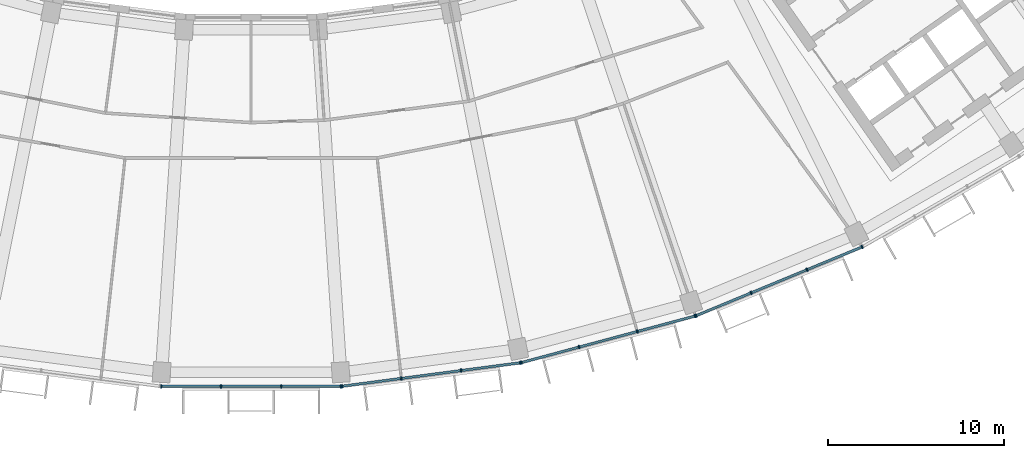
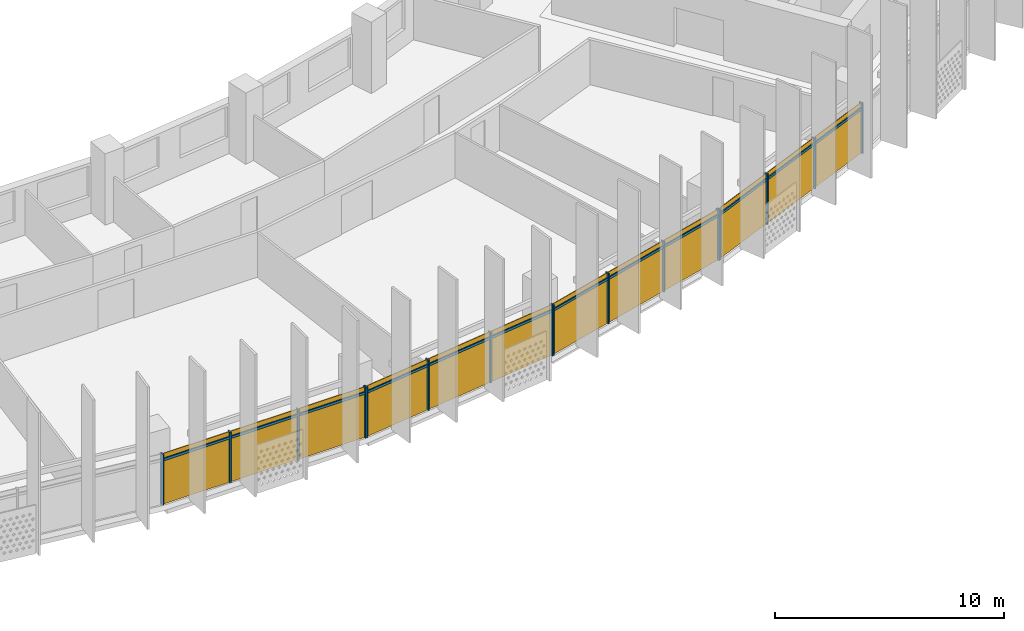
# One storey, part 20 of 28: 28 members, 4 curtain walls.
"""IFC4 building model written with IfcOpenShell, lengths in metres."""

from ifc_helpers import new_model, si_unit, direction, frame, origin, origin_2d, place, context, subcontext, project, spatial, rectangle, extrude, material, material_profile, profile_set, type_object, element, aggregate, save


model = new_model("IFC4")

# Units and contexts
model_context = context("Model", 3, precision=1e-05, world=origin(), true_north=direction((0.0, 1.0)))
body_context = subcontext(model_context, "Body", "Model", "MODEL_VIEW")
ifc_project = project(units=[si_unit("LENGTHUNIT", "METRE"), si_unit("AREAUNIT", "SQUARE_METRE"), si_unit("VOLUMEUNIT", "CUBIC_METRE"), si_unit("PLANEANGLEUNIT", "RADIAN"), si_unit("MASSUNIT", "GRAM", prefix="KILO")], contexts=[model_context])

# Member
ifc_material = material(Name="Aluminium 6063-T6 anodised", Category="aluminium")
ifc_material_profile_1 = material_profile(ifc_material, rectangle(XDim=0.199951171875, YDim=0.070068359375, at=origin_2d()))
ifc_profile_set_1 = profile_set([ifc_material_profile_1], Name="Aluminium 6063-T6 anodised")
member_type_1 = type_object("IfcMemberType", Name="Mullion 70 x 200 aluminium", PredefinedType="MULLION", material=ifc_profile_set_1)
site_placement = place(None, origin())
building_placement = place(site_placement, origin())
storey_placement = place(building_placement, frame((0.0, 0.0, 241.699951171875)))
member_1_placement = place(storey_placement, frame((-5.10888671875, -78.381591796875, 0.0), z_axis=(0.0, 0.0, 1.0), x_axis=(0.0, 1.0, 0.0)))
member_1 = element("IfcMember", 1, at=member_1_placement, type_object=member_type_1, Name="e-cw1-L58-out08/M00", PredefinedType="MULLION", context=body_context, shape_type="SweptSolid", body=[
    extrude(rectangle(XDim=0.199951171875, YDim=0.070068359375, at=origin_2d()), origin(), (0.0, 0.0, 1.0), 2.699951171875),
])

member_2_placement = place(storey_placement, frame((-1.714599609375, -78.381591796875, 0.0), z_axis=(0.0, 0.0, 1.0), x_axis=(0.0, 1.0, 0.0)))
member_2 = element("IfcMember", 2, at=member_2_placement, type_object=member_type_1, Name="e-cw1-L58-out08/M01", PredefinedType="MULLION", context=body_context, shape_type="SweptSolid", body=[
    extrude(rectangle(XDim=0.199951171875, YDim=0.070068359375, at=origin_2d()), origin(), (0.0, 0.0, 1.0), 2.699951171875),
])

member_3_placement = place(storey_placement, frame((1.714599609375, -78.381591796875, 0.0), z_axis=(0.0, 0.0, 1.0), x_axis=(0.0, 1.0, 0.0)))
member_3 = element("IfcMember", 3, at=member_3_placement, type_object=member_type_1, Name="e-cw1-L58-out08/M02", PredefinedType="MULLION", context=body_context, shape_type="SweptSolid", body=[
    extrude(rectangle(XDim=0.199951171875, YDim=0.070068359375, at=origin_2d()), origin(), (0.0, 0.0, 1.0), 2.699951171875),
])

member_4_placement = place(storey_placement, frame((5.10888671875, -78.381591796875, 0.0), z_axis=(0.0, 0.0, 1.0), x_axis=(0.0, 1.0, 0.0)))
member_4 = element("IfcMember", 4, at=member_4_placement, type_object=member_type_1, Name="e-cw1-L58-out08/M03", PredefinedType="MULLION", context=body_context, shape_type="SweptSolid", body=[
    extrude(rectangle(XDim=0.199951171875, YDim=0.070068359375, at=origin_2d()), origin(), (0.0, 0.0, 1.0), 2.699951171875),
])

member_5_placement = place(storey_placement, frame((5.16552734375, -78.3779296875, 0.0), z_axis=(0.0, 0.0, 1.0), x_axis=(-0.13052619222, 0.991444861374, 0.0)))
member_5 = element("IfcMember", 5, at=member_5_placement, type_object=member_type_1, Name="e-cw1-L58-out09/M00", PredefinedType="MULLION", context=body_context, shape_type="SweptSolid", body=[
    extrude(rectangle(XDim=0.199951171875, YDim=0.070068359375, at=origin_2d()), origin(), (0.0, 0.0, 1.0), 2.699951171875),
])

member_6_placement = place(storey_placement, frame((8.53076171875, -77.934814453125, 0.0), z_axis=(0.0, 0.0, 1.0), x_axis=(-0.13052619222, 0.991444861374, 0.0)))
member_6 = element("IfcMember", 6, at=member_6_placement, type_object=member_type_1, Name="e-cw1-L58-out09/M01", PredefinedType="MULLION", context=body_context, shape_type="SweptSolid", body=[
    extrude(rectangle(XDim=0.199951171875, YDim=0.070068359375, at=origin_2d()), origin(), (0.0, 0.0, 1.0), 2.699951171875),
])

member_7_placement = place(storey_placement, frame((11.930908203125, -77.4873046875, 0.0), z_axis=(0.0, 0.0, 1.0), x_axis=(-0.13052619222, 0.991444861374, 0.0)))
member_7 = element("IfcMember", 7, at=member_7_placement, type_object=member_type_1, Name="e-cw1-L58-out09/M02", PredefinedType="MULLION", context=body_context, shape_type="SweptSolid", body=[
    extrude(rectangle(XDim=0.199951171875, YDim=0.070068359375, at=origin_2d()), origin(), (0.0, 0.0, 1.0), 2.699951171875),
])

member_8_placement = place(storey_placement, frame((15.296142578125, -77.044189453125, 0.0), z_axis=(0.0, 0.0, 1.0), x_axis=(-0.13052619222, 0.991444861374, 0.0)))
member_8 = element("IfcMember", 8, at=member_8_placement, type_object=member_type_1, Name="e-cw1-L58-out09/M03", PredefinedType="MULLION", context=body_context, shape_type="SweptSolid", body=[
    extrude(rectangle(XDim=0.199951171875, YDim=0.070068359375, at=origin_2d()), origin(), (0.0, 0.0, 1.0), 2.699951171875),
])

member_9_placement = place(storey_placement, frame((15.351806640625, -77.033203125, 0.0), z_axis=(0.0, 0.0, 1.0), x_axis=(-0.258819045103, 0.965925826289, 0.0)))
member_9 = element("IfcMember", 9, at=member_9_placement, type_object=member_type_1, Name="e-cw1-L58-out10/M00", PredefinedType="MULLION", context=body_context, shape_type="SweptSolid", body=[
    extrude(rectangle(XDim=0.199951171875, YDim=0.070068359375, at=origin_2d()), origin(), (0.0, 0.0, 1.0), 2.699951171875),
])

member_10_placement = place(storey_placement, frame((18.63037109375, -76.154541015625, 0.0), z_axis=(0.0, 0.0, 1.0), x_axis=(-0.258819045103, 0.965925826289, 0.0)))
member_10 = element("IfcMember", 10, at=member_10_placement, type_object=member_type_1, Name="e-cw1-L58-out10/M01", PredefinedType="MULLION", context=body_context, shape_type="SweptSolid", body=[
    extrude(rectangle(XDim=0.199951171875, YDim=0.070068359375, at=origin_2d()), origin(), (0.0, 0.0, 1.0), 2.699951171875),
])

member_11_placement = place(storey_placement, frame((21.94287109375, -75.26708984375, 0.0), z_axis=(0.0, 0.0, 1.0), x_axis=(-0.258819045103, 0.965925826289, 0.0)))
member_11 = element("IfcMember", 11, at=member_11_placement, type_object=member_type_1, Name="e-cw1-L58-out10/M02", PredefinedType="MULLION", context=body_context, shape_type="SweptSolid", body=[
    extrude(rectangle(XDim=0.199951171875, YDim=0.070068359375, at=origin_2d()), origin(), (0.0, 0.0, 1.0), 2.699951171875),
])

member_12_placement = place(storey_placement, frame((25.221435546875, -74.388427734375, 0.0), z_axis=(0.0, 0.0, 1.0), x_axis=(-0.258819045103, 0.965925826289, 0.0)))
member_12 = element("IfcMember", 12, at=member_12_placement, type_object=member_type_1, Name="e-cw1-L58-out10/M03", PredefinedType="MULLION", context=body_context, shape_type="SweptSolid", body=[
    extrude(rectangle(XDim=0.199951171875, YDim=0.070068359375, at=origin_2d()), origin(), (0.0, 0.0, 1.0), 2.699951171875),
])

member_13_placement = place(storey_placement, frame((25.275390625, -74.370361328125, 0.0), z_axis=(0.0, 0.0, 1.0), x_axis=(-0.382683432365, 0.923879532511, 0.0)))
member_13 = element("IfcMember", 13, at=member_13_placement, type_object=member_type_1, Name="e-cw1-L58-out11/M00", PredefinedType="MULLION", context=body_context, shape_type="SweptSolid", body=[
    extrude(rectangle(XDim=0.199951171875, YDim=0.070068359375, at=origin_2d()), origin(), (0.0, 0.0, 1.0), 2.699951171875),
])

member_14_placement = place(storey_placement, frame((28.4111328125, -73.0712890625, 0.0), z_axis=(0.0, 0.0, 1.0), x_axis=(-0.382683432365, 0.923879532511, 0.0)))
member_14 = element("IfcMember", 14, at=member_14_placement, type_object=member_type_1, Name="e-cw1-L58-out11/M01", PredefinedType="MULLION", context=body_context, shape_type="SweptSolid", body=[
    extrude(rectangle(XDim=0.199951171875, YDim=0.070068359375, at=origin_2d()), origin(), (0.0, 0.0, 1.0), 2.699951171875),
])

member_15_placement = place(storey_placement, frame((31.57958984375, -71.759033203125, 0.0), z_axis=(0.0, 0.0, 1.0), x_axis=(-0.382683432365, 0.923879532511, 0.0)))
member_15 = element("IfcMember", 15, at=member_15_placement, type_object=member_type_1, Name="e-cw1-L58-out11/M02", PredefinedType="MULLION", context=body_context, shape_type="SweptSolid", body=[
    extrude(rectangle(XDim=0.199951171875, YDim=0.070068359375, at=origin_2d()), origin(), (0.0, 0.0, 1.0), 2.699951171875),
])

member_16_placement = place(storey_placement, frame((34.71533203125, -70.4599609375, 0.0), z_axis=(0.0, 0.0, 1.0), x_axis=(-0.382683432365, 0.923879532511, 0.0)))
member_16 = element("IfcMember", 16, at=member_16_placement, type_object=member_type_1, Name="e-cw1-L58-out11/M03", PredefinedType="MULLION", context=body_context, shape_type="SweptSolid", body=[
    extrude(rectangle(XDim=0.199951171875, YDim=0.070068359375, at=origin_2d()), origin(), (0.0, 0.0, 1.0), 2.699951171875),
])

ifc_material_profile_2 = material_profile(ifc_material, rectangle(XDim=0.139892578125, YDim=0.1201171875, at=origin_2d()))
ifc_profile_set_2 = profile_set([ifc_material_profile_2], Name="Aluminium 6063-T6 anodised")
member_type_2 = type_object("IfcMemberType", Name="Transom 120 x 140 aluminium", PredefinedType="USERDEFINED", material=ifc_profile_set_2)
member_17_placement = place(storey_placement, frame((-5.073974609375, -78.381591796875, 2.400146484375), z_axis=(1.0, 0.0, 0.0), x_axis=(0.0, 1.0, 0.0)))
member_17 = element("IfcMember", 17, at=member_17_placement, type_object=member_type_2, Name="e-cw1-L58-out08/T00", ObjectType="TRANSOM", PredefinedType="USERDEFINED", context=body_context, shape_type="SweptSolid", body=[
    extrude(rectangle(XDim=0.139892578125, YDim=0.1201171875, at=origin_2d()), origin(), (0.0, 0.0, 1.0), 3.32421875),
])

member_18_placement = place(storey_placement, frame((-1.6796875, -78.381591796875, 2.400146484375), z_axis=(1.0, 0.0, 0.0), x_axis=(0.0, 1.0, 0.0)))
member_18 = element("IfcMember", 18, at=member_18_placement, type_object=member_type_2, Name="e-cw1-L58-out08/T01", ObjectType="TRANSOM", PredefinedType="USERDEFINED", context=body_context, shape_type="SweptSolid", body=[
    extrude(rectangle(XDim=0.139892578125, YDim=0.1201171875, at=origin_2d()), origin(), (0.0, 0.0, 1.0), 3.359375),
])

member_19_placement = place(storey_placement, frame((1.749755859375, -78.381591796875, 2.400146484375), z_axis=(1.0, 0.0, 0.0), x_axis=(0.0, 1.0, 0.0)))
member_19 = element("IfcMember", 19, at=member_19_placement, type_object=member_type_2, Name="e-cw1-L58-out08/T02", ObjectType="TRANSOM", PredefinedType="USERDEFINED", context=body_context, shape_type="SweptSolid", body=[
    extrude(rectangle(XDim=0.139892578125, YDim=0.1201171875, at=origin_2d()), origin(), (0.0, 0.0, 1.0), 3.32421875),
])

member_20_placement = place(storey_placement, frame((5.2001953125, -78.373291015625, 2.400146484375), z_axis=(0.991447795146, 0.130503906072, 0.0), x_axis=(-0.130503906072, 0.991447795146, 0.0)))
member_20 = element("IfcMember", 20, at=member_20_placement, type_object=member_type_2, Name="e-cw1-L58-out09/T00", ObjectType="TRANSOM", PredefinedType="USERDEFINED", context=body_context, shape_type="SweptSolid", body=[
    extrude(rectangle(XDim=0.139892578125, YDim=0.1201171875, at=origin_2d()), origin(), (0.0, 0.0, 1.0), 3.32421875),
])

member_21_placement = place(storey_placement, frame((8.565673828125, -77.93017578125, 2.400146484375), z_axis=(0.991444893088, 0.130525951326, 0.0), x_axis=(-0.130525951326, 0.991444893088, 0.0)))
member_21 = element("IfcMember", 21, at=member_21_placement, type_object=member_type_2, Name="e-cw1-L58-out09/T01", ObjectType="TRANSOM", PredefinedType="USERDEFINED", context=body_context, shape_type="SweptSolid", body=[
    extrude(rectangle(XDim=0.139892578125, YDim=0.1201171875, at=origin_2d()), origin(), (0.0, 0.0, 1.0), 3.359375),
])

member_22_placement = place(storey_placement, frame((11.965576171875, -77.482666015625, 2.400146484375), z_axis=(0.991447795146, 0.130503906072, 0.0), x_axis=(-0.130503906072, 0.991447795146, 0.0)))
member_22 = element("IfcMember", 22, at=member_22_placement, type_object=member_type_2, Name="e-cw1-L58-out09/T02", ObjectType="TRANSOM", PredefinedType="USERDEFINED", context=body_context, shape_type="SweptSolid", body=[
    extrude(rectangle(XDim=0.139892578125, YDim=0.1201171875, at=origin_2d()), origin(), (0.0, 0.0, 1.0), 3.32421875),
])

member_23_placement = place(storey_placement, frame((15.385498046875, -77.024169921875, 2.400146484375), z_axis=(0.965913629723, 0.258864559019, 0.0), x_axis=(-0.258864559019, 0.965913629723, 0.0)))
member_23 = element("IfcMember", 23, at=member_23_placement, type_object=member_type_2, Name="e-cw1-L58-out10/T00", ObjectType="TRANSOM", PredefinedType="USERDEFINED", context=body_context, shape_type="SweptSolid", body=[
    extrude(rectangle(XDim=0.139892578125, YDim=0.1201171875, at=origin_2d()), origin(), (0.0, 0.0, 1.0), 3.324462890625),
])

member_24_placement = place(storey_placement, frame((18.664306640625, -76.1455078125, 2.400146484375), z_axis=(0.965931507774, 0.258797840582, 0.0), x_axis=(-0.258797840582, 0.965931507774, 0.0)))
member_24 = element("IfcMember", 24, at=member_24_placement, type_object=member_type_2, Name="e-cw1-L58-out10/T01", ObjectType="TRANSOM", PredefinedType="USERDEFINED", context=body_context, shape_type="SweptSolid", body=[
    extrude(rectangle(XDim=0.139892578125, YDim=0.1201171875, at=origin_2d()), origin(), (0.0, 0.0, 1.0), 3.359375),
])

member_25_placement = place(storey_placement, frame((21.976806640625, -75.258056640625, 2.400146484375), z_axis=(0.965908708139, 0.25888292246, 0.0), x_axis=(-0.25888292246, 0.965908708139, 0.0)))
member_25 = element("IfcMember", 25, at=member_25_placement, type_object=member_type_2, Name="e-cw1-L58-out10/T02", ObjectType="TRANSOM", PredefinedType="USERDEFINED", context=body_context, shape_type="SweptSolid", body=[
    extrude(rectangle(XDim=0.139892578125, YDim=0.1201171875, at=origin_2d()), origin(), (0.0, 0.0, 1.0), 3.32421875),
])

member_26_placement = place(storey_placement, frame((25.3076171875, -74.35693359375, 2.400146484375), z_axis=(0.923874511193, 0.382695554676, 0.0), x_axis=(-0.382695554676, 0.923874511193, 0.0)))
member_26 = element("IfcMember", 26, at=member_26_placement, type_object=member_type_2, Name="e-cw1-L58-out11/T00", ObjectType="TRANSOM", PredefinedType="USERDEFINED", context=body_context, shape_type="SweptSolid", body=[
    extrude(rectangle(XDim=0.139892578125, YDim=0.1201171875, at=origin_2d()), origin(), (0.0, 0.0, 1.0), 3.324462890625),
])

member_27_placement = place(storey_placement, frame((28.443603515625, -73.057861328125, 2.400146484375), z_axis=(0.923891938088, 0.38265348128, 0.0), x_axis=(-0.38265348128, 0.923891938088, 0.0)))
member_27 = element("IfcMember", 27, at=member_27_placement, type_object=member_type_2, Name="e-cw1-L58-out11/T01", ObjectType="TRANSOM", PredefinedType="USERDEFINED", context=body_context, shape_type="SweptSolid", body=[
    extrude(rectangle(XDim=0.139892578125, YDim=0.1201171875, at=origin_2d()), origin(), (0.0, 0.0, 1.0), 3.359130859375),
])

member_28_placement = place(storey_placement, frame((31.61181640625, -71.74560546875, 2.400146484375), z_axis=(0.923874511193, 0.382695554676, 0.0), x_axis=(-0.382695554676, 0.923874511193, 0.0)))
member_28 = element("IfcMember", 28, at=member_28_placement, type_object=member_type_2, Name="e-cw1-L58-out11/T02", ObjectType="TRANSOM", PredefinedType="USERDEFINED", context=body_context, shape_type="SweptSolid", body=[
    extrude(rectangle(XDim=0.139892578125, YDim=0.1201171875, at=origin_2d()), origin(), (0.0, 0.0, 1.0), 3.324462890625),
])

# Site, building, storey
site = spatial("IfcSite", under=ifc_project, at=site_placement, CompositionType="ELEMENT")
building = spatial("IfcBuilding", under=site, at=building_placement, Name="Qamariyya Broadcast Tower", CompositionType="ELEMENT")
storey = spatial("IfcBuildingStorey", under=building, at=storey_placement, Name="L58", CompositionType="ELEMENT", Elevation=241.699951171875)

# Curtain wall
curtain_wall_type = type_object("IfcCurtainWallType", Name="Unitised curtain wall, anodised aluminium", PredefinedType="NOTDEFINED", material=ifc_material)
curtain_wall_1_placement = place(storey_placement, origin())
curtain_wall_1 = element("IfcCurtainWall", 29, at=curtain_wall_1_placement, inside=storey, type_object=curtain_wall_type, Name="e-cw1-L58-out08", PredefinedType="NOTDEFINED", context=body_context, shape_type="SweptSolid", body=[
    extrude(rectangle(XDim=3.324462890625, YDim=0.031982421875, at=origin_2d()), frame((-3.411865234375, -78.381591796875, 0.0), x_axis=(1.0, 0.0, 0.0)), (0.0, 0.0, 1.0), 2.340087890625),
    extrude(rectangle(XDim=3.324462890625, YDim=0.031982421875, at=origin_2d()), frame((-3.411865234375, -78.381591796875, 2.4599609375), x_axis=(1.0, 0.0, 0.0)), (0.0, 0.0, 1.0), 0.239990234375),
    extrude(rectangle(XDim=3.359375, YDim=0.031982421875, at=origin_2d()), frame((0.0, -78.381591796875, 0.0), x_axis=(1.0, 0.0, 0.0)), (0.0, 0.0, 1.0), 2.340087890625),
    extrude(rectangle(XDim=3.359375, YDim=0.031982421875, at=origin_2d()), frame((0.0, -78.381591796875, 2.4599609375), x_axis=(1.0, 0.0, 0.0)), (0.0, 0.0, 1.0), 0.239990234375),
    extrude(rectangle(XDim=3.324462890625, YDim=0.031982421875, at=origin_2d()), frame((3.411865234375, -78.381591796875, 0.0), x_axis=(1.0, 0.0, 0.0)), (0.0, 0.0, 1.0), 2.340087890625),
    extrude(rectangle(XDim=3.324462890625, YDim=0.031982421875, at=origin_2d()), frame((3.411865234375, -78.381591796875, 2.4599609375), x_axis=(1.0, 0.0, 0.0)), (0.0, 0.0, 1.0), 0.239990234375),
])

aggregate(curtain_wall_1, [member_1, member_2, member_3, member_4, member_17, member_18, member_19])

curtain_wall_2_placement = place(storey_placement, origin())
curtain_wall_2 = element("IfcCurtainWall", 30, at=curtain_wall_2_placement, inside=storey, type_object=curtain_wall_type, Name="e-cw1-L58-out09", PredefinedType="NOTDEFINED", context=body_context, shape_type="SweptSolid", body=[
    extrude(rectangle(XDim=3.32421875, YDim=0.031982421875, at=origin_2d()), frame((6.84814453125, -78.156494140625, 0.0), x_axis=(0.991442741341, 0.130542294457, 0.0)), (0.0, 0.0, 1.0), 2.340087890625),
    extrude(rectangle(XDim=3.32421875, YDim=0.031982421875, at=origin_2d()), frame((6.84814453125, -78.156494140625, 2.4599609375), x_axis=(0.991442741341, 0.130542294457, 0.0)), (0.0, 0.0, 1.0), 0.239990234375),
    extrude(rectangle(XDim=3.359375, YDim=0.031982421875, at=origin_2d()), frame((10.23095703125, -77.7109375, 0.0), x_axis=(0.991442741341, 0.130542294457, 0.0)), (0.0, 0.0, 1.0), 2.340087890625),
    extrude(rectangle(XDim=3.359375, YDim=0.031982421875, at=origin_2d()), frame((10.23095703125, -77.7109375, 2.4599609375), x_axis=(0.991442741341, 0.130542294457, 0.0)), (0.0, 0.0, 1.0), 0.239990234375),
    extrude(rectangle(XDim=3.32421875, YDim=0.031982421875, at=origin_2d()), frame((13.613525390625, -77.265625, 0.0), x_axis=(0.991442741341, 0.130542294457, 0.0)), (0.0, 0.0, 1.0), 2.340087890625),
    extrude(rectangle(XDim=3.32421875, YDim=0.031982421875, at=origin_2d()), frame((13.613525390625, -77.265625, 2.4599609375), x_axis=(0.991442741341, 0.130542294457, 0.0)), (0.0, 0.0, 1.0), 0.239990234375),
])

aggregate(curtain_wall_2, [member_5, member_6, member_7, member_8, member_20, member_21, member_22])

curtain_wall_3_placement = place(storey_placement, origin())
curtain_wall_3 = element("IfcCurtainWall", 31, at=curtain_wall_3_placement, inside=storey, type_object=curtain_wall_type, Name="e-cw1-L58-out10", PredefinedType="NOTDEFINED", context=body_context, shape_type="SweptSolid", body=[
    extrude(rectangle(XDim=3.324462890625, YDim=0.031982421875, at=origin_2d()), frame((16.990966796875, -76.593994140625, 0.0), x_axis=(0.965923476514, 0.258827814424, 0.0)), (0.0, 0.0, 1.0), 2.340087890625),
    extrude(rectangle(XDim=3.324462890625, YDim=0.031982421875, at=origin_2d()), frame((16.990966796875, -76.593994140625, 2.4599609375), x_axis=(0.965923476514, 0.258827814424, 0.0)), (0.0, 0.0, 1.0), 0.239990234375),
    extrude(rectangle(XDim=3.359375, YDim=0.031982421875, at=origin_2d()), frame((20.28662109375, -75.7109375, 0.0), x_axis=(0.965923476514, 0.258827814424, 0.0)), (0.0, 0.0, 1.0), 2.340087890625),
    extrude(rectangle(XDim=3.359375, YDim=0.031982421875, at=origin_2d()), frame((20.28662109375, -75.7109375, 2.4599609375), x_axis=(0.965923476514, 0.258827814424, 0.0)), (0.0, 0.0, 1.0), 0.239990234375),
    extrude(rectangle(XDim=3.324462890625, YDim=0.031982421875, at=origin_2d()), frame((23.582275390625, -74.82763671875, 0.0), x_axis=(0.965923476514, 0.258827814424, 0.0)), (0.0, 0.0, 1.0), 2.340087890625),
    extrude(rectangle(XDim=3.324462890625, YDim=0.031982421875, at=origin_2d()), frame((23.582275390625, -74.82763671875, 2.4599609375), x_axis=(0.965923476514, 0.258827814424, 0.0)), (0.0, 0.0, 1.0), 0.239990234375),
])

aggregate(curtain_wall_3, [member_9, member_10, member_11, member_12, member_23, member_24, member_25])

curtain_wall_4_placement = place(storey_placement, origin())
curtain_wall_4 = element("IfcCurtainWall", 32, at=curtain_wall_4_placement, inside=storey, type_object=curtain_wall_type, Name="e-cw1-L58-out11", PredefinedType="NOTDEFINED", context=body_context, shape_type="SweptSolid", body=[
    extrude(rectangle(XDim=3.32421875, YDim=0.031982421875, at=origin_2d()), frame((26.84326171875, -73.720703125, 0.0), x_axis=(0.923880895135, 0.382680142683, 0.0)), (0.0, 0.0, 1.0), 2.340087890625),
    extrude(rectangle(XDim=3.32421875, YDim=0.031982421875, at=origin_2d()), frame((26.84326171875, -73.720703125, 2.4599609375), x_axis=(0.923880895135, 0.382680142683, 0.0)), (0.0, 0.0, 1.0), 0.239990234375),
    extrude(rectangle(XDim=3.359375, YDim=0.031982421875, at=origin_2d()), frame((29.995361328125, -72.4150390625, 0.0), x_axis=(0.923880895135, 0.382680142683, 0.0)), (0.0, 0.0, 1.0), 2.340087890625),
    extrude(rectangle(XDim=3.359375, YDim=0.031982421875, at=origin_2d()), frame((29.995361328125, -72.4150390625, 2.4599609375), x_axis=(0.923880895135, 0.382680142683, 0.0)), (0.0, 0.0, 1.0), 0.239990234375),
    extrude(rectangle(XDim=3.32421875, YDim=0.031982421875, at=origin_2d()), frame((33.1474609375, -71.109375, 0.0), x_axis=(0.923880895135, 0.382680142683, 0.0)), (0.0, 0.0, 1.0), 2.340087890625),
    extrude(rectangle(XDim=3.32421875, YDim=0.031982421875, at=origin_2d()), frame((33.1474609375, -71.109375, 2.4599609375), x_axis=(0.923880895135, 0.382680142683, 0.0)), (0.0, 0.0, 1.0), 0.239990234375),
])

aggregate(curtain_wall_4, [member_13, member_14, member_15, member_16, member_26, member_27, member_28])

save(model, "model.ifc")
